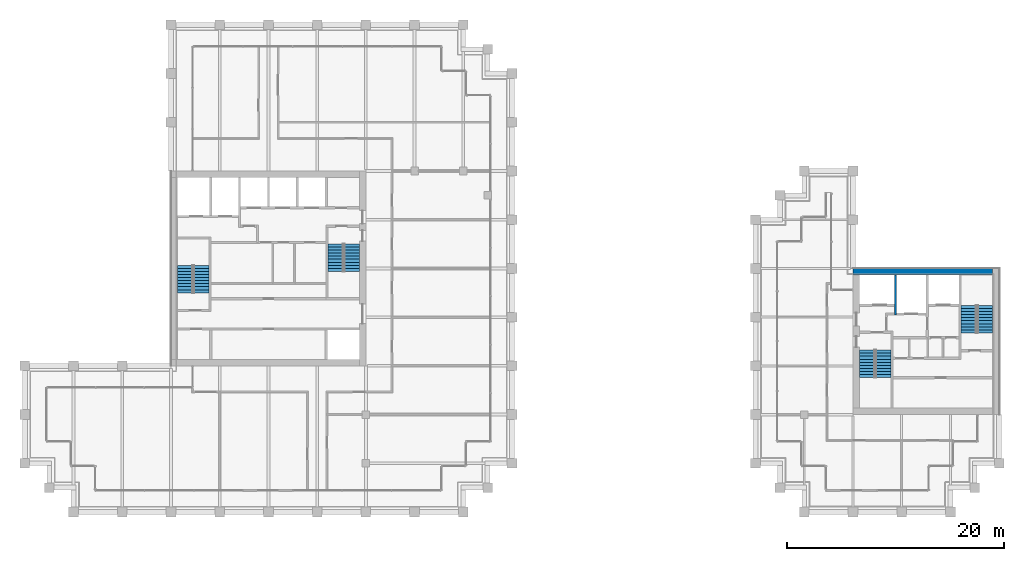
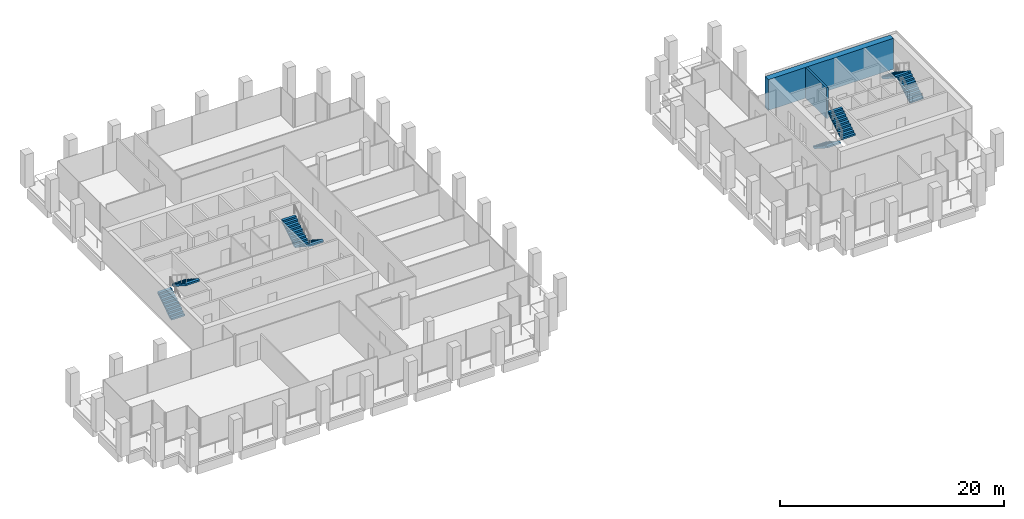
# One storey, part 39 of 40: 8 stair flights, 2 walls, 4 elements without a shape of their own.
"""IFC4 building model written with IfcOpenShell, lengths in metres."""

from ifc_helpers import new_model, si_unit, direction, frame, frame_2d, origin, place, context, subcontext, project, spatial, polyline, rectangle, outline, extrude, material, layer, layer_set, type_object, element, aggregate, save


model = new_model("IFC4")

# Units and contexts
model_context = context("Model", 3, precision=1e-05, world=origin(), true_north=direction((0.0, 1.0)))
body_context = subcontext(model_context, "Body", "Model", "MODEL_VIEW")
ifc_project = project(units=[si_unit("LENGTHUNIT", "METRE"), si_unit("AREAUNIT", "SQUARE_METRE"), si_unit("VOLUMEUNIT", "CUBIC_METRE"), si_unit("PLANEANGLEUNIT", "RADIAN"), si_unit("MASSUNIT", "GRAM", prefix="KILO")], contexts=[model_context])

# Site, building, storey
site_placement = place(None, origin())
site = spatial("IfcSite", under=ifc_project, at=site_placement, CompositionType="ELEMENT")
building_placement = place(site_placement, origin())
building = spatial("IfcBuilding", under=site, at=building_placement, Name="Altepetl Exchange Towers", CompositionType="ELEMENT")
storey_placement = place(building_placement, frame((0.0, 0.0, 179.800048828125)))
storey = spatial("IfcBuildingStorey", under=building, at=storey_placement, Name="L45", CompositionType="ELEMENT", Elevation=179.800048828125)

# Walls
ifc_material_1 = material(Name="Concrete C70/85", Category="concrete")
ifc_layer_1 = layer(ifc_material_1, 0.60009765625)
ifc_layer_set_1 = layer_set([ifc_layer_1], Name="Concrete C70/85")
wall_type_1 = type_object("IfcWallType", Name="Core wall 600 reinforced concrete external", PredefinedType="SHEAR", material=ifc_layer_set_1)
wall_1_placement = place(storey_placement, frame((103.5, 49.199951171875, 0.0)))
element("IfcWall", 1, at=wall_1_placement, inside=storey, type_object=wall_type_1, Name="wall:B:L45:K-coreN", PredefinedType="SHEAR", context=body_context, shape_type="SweptSolid", body=[
    extrude(rectangle(XDim=12.89990234375, YDim=0.60009765625, at=frame_2d((6.449951171875, 0.0))), origin(), (0.0, 0.0, 1.0), 3.349853515625),
])
ifc_material_2 = material(Name="Concrete C40/50", Category="concrete")
ifc_layer_2 = layer(ifc_material_2, 0.199951171875)
ifc_layer_set_2 = layer_set([ifc_layer_2], Name="Concrete C40/50")
wall_type_2 = type_object("IfcWallType", Name="Shaft wall 200 reinforced concrete", PredefinedType="SHEAR", material=ifc_layer_set_2)
wall_2_placement = place(storey_placement, frame((107.433349609375, 48.89990234375, 0.0), z_axis=(0.0, 0.0, 1.0), x_axis=(0.0, -1.0, 0.0)))
element("IfcWall", 2, at=wall_2_placement, inside=storey, type_object=wall_type_2, Name="wall:B:L45:K-divN1", PredefinedType="SHEAR", context=body_context, shape_type="SweptSolid", body=[
    extrude(rectangle(XDim=3.699951171875, YDim=0.199951171875, at=frame_2d((1.85009765625, 0.0))), origin(), (0.0, 0.0, 1.0), 3.349853515625),
])

# Stair, stair flights
stair_type = type_object("IfcStairType", Name="Exit stair 1400 flights dogleg", PredefinedType="HALF_TURN_STAIR", material=ifc_material_2)
stair_1_placement = place(storey_placement, origin())
stair_1 = element("IfcStair", 3, at=stair_1_placement, inside=storey, type_object=stair_type, Name="Exit stair 1", PredefinedType="HALF_TURN_STAIR")
stair_flight_type = type_object("IfcStairFlightType", Name="Stair flight 1400 wide", PredefinedType="STRAIGHT", material=ifc_material_2)
stair_flight_1_placement = place(storey_placement, frame((41.800048828125, 47.25, 0.0), z_axis=(0.0, 0.0, 1.0), x_axis=(0.0, 1.0, 0.0)))
stair_flight_1 = element("IfcStairFlight", 4, at=stair_flight_1_placement, type_object=stair_flight_type, Name="ST-A1e flight 1", NumberOfRisers=10, NumberOfTreads=9, PredefinedType="STRAIGHT", RiserHeight=0.18, TreadLength=0.28, context=body_context, shape_type="SweptSolid", body=[
    extrude(outline(polyline([(0.0, 0.0), (0.0, 0.179931640625), (0.280029296875, 0.179931640625), (0.280029296875, 0.360107421875), (0.56005859375, 0.360107421875), (0.56005859375, 0.5400390625), (0.840087890625, 0.5400390625), (0.840087890625, 0.719970703125), (1.1201171875, 0.719970703125), (1.1201171875, 0.89990234375), (1.39990234375, 0.89990234375), (1.39990234375, 1.080078125), (1.679931640625, 1.080078125), (1.679931640625, 1.260009765625), (1.9599609375, 1.260009765625), (1.9599609375, 1.43994140625), (2.239990234375, 1.43994140625), (2.239990234375, 1.6201171875), (2.52001953125, 1.6201171875), (2.52001953125, 1.800048828125), (2.52001953125, 1.44189453125), (0.277099609375, 0.0), (0.0, 0.0)])), frame((0.0, 0.699951171875, 0.0), z_axis=(0.0, -1.0, 0.0), x_axis=(1.0, 0.0, 0.0)), (0.0, 0.0, 1.0), 1.39990234375),
])
stair_flight_2_placement = place(storey_placement, frame((43.300048828125, 49.77001953125, 1.800048828125), z_axis=(0.0, 0.0, 1.0), x_axis=(0.0, -1.0, 0.0)))
stair_flight_2 = element("IfcStairFlight", 5, at=stair_flight_2_placement, type_object=stair_flight_type, Name="ST-A1e flight 2", NumberOfRisers=10, NumberOfTreads=9, PredefinedType="STRAIGHT", RiserHeight=0.18, TreadLength=0.28, context=body_context, shape_type="SweptSolid", body=[
    extrude(outline(polyline([(0.0, 0.0), (0.0, 0.179931640625), (0.280029296875, 0.179931640625), (0.280029296875, 0.360107421875), (0.56005859375, 0.360107421875), (0.56005859375, 0.5400390625), (0.840087890625, 0.5400390625), (0.840087890625, 0.719970703125), (1.1201171875, 0.719970703125), (1.1201171875, 0.89990234375), (1.39990234375, 0.89990234375), (1.39990234375, 1.080078125), (1.679931640625, 1.080078125), (1.679931640625, 1.260009765625), (1.9599609375, 1.260009765625), (1.9599609375, 1.43994140625), (2.239990234375, 1.43994140625), (2.239990234375, 1.6201171875), (2.52001953125, 1.6201171875), (2.52001953125, 1.800048828125), (2.52001953125, 1.44189453125), (0.277099609375, 0.0), (0.0, 0.0)])), frame((0.0, 0.699951171875, 0.0), z_axis=(0.0, -1.0, 0.0), x_axis=(1.0, 0.0, 0.0)), (0.0, 0.0, 1.0), 1.39990234375),
])
aggregate(stair_1, [stair_flight_1, stair_flight_2])

stair_2_placement = place(storey_placement, origin())
stair_2 = element("IfcStair", 6, at=stair_2_placement, inside=storey, type_object=stair_type, Name="Exit stair 2", PredefinedType="HALF_TURN_STAIR")
stair_flight_3_placement = place(storey_placement, frame((57.199951171875, 51.75, 0.0), z_axis=(0.0, 0.0, 1.0), x_axis=(0.0, -1.0, 0.0)))
stair_flight_3 = element("IfcStairFlight", 7, at=stair_flight_3_placement, type_object=stair_flight_type, Name="ST-A2e flight 1", NumberOfRisers=10, NumberOfTreads=9, PredefinedType="STRAIGHT", RiserHeight=0.18, TreadLength=0.28, context=body_context, shape_type="SweptSolid", body=[
    extrude(outline(polyline([(0.0, 0.0), (0.0, 0.179931640625), (0.280029296875, 0.179931640625), (0.280029296875, 0.360107421875), (0.56005859375, 0.360107421875), (0.56005859375, 0.5400390625), (0.840087890625, 0.5400390625), (0.840087890625, 0.719970703125), (1.1201171875, 0.719970703125), (1.1201171875, 0.89990234375), (1.39990234375, 0.89990234375), (1.39990234375, 1.080078125), (1.679931640625, 1.080078125), (1.679931640625, 1.260009765625), (1.9599609375, 1.260009765625), (1.9599609375, 1.43994140625), (2.239990234375, 1.43994140625), (2.239990234375, 1.6201171875), (2.52001953125, 1.6201171875), (2.52001953125, 1.800048828125), (2.52001953125, 1.44189453125), (0.277099609375, 0.0), (0.0, 0.0)])), frame((0.0, 0.699951171875, 0.0), z_axis=(0.0, -1.0, 0.0), x_axis=(1.0, 0.0, 0.0)), (0.0, 0.0, 1.0), 1.39990234375),
])
stair_flight_4_placement = place(storey_placement, frame((55.699951171875, 49.22998046875, 1.800048828125), z_axis=(0.0, 0.0, 1.0), x_axis=(0.0, 1.0, 0.0)))
stair_flight_4 = element("IfcStairFlight", 8, at=stair_flight_4_placement, type_object=stair_flight_type, Name="ST-A2e flight 2", NumberOfRisers=10, NumberOfTreads=9, PredefinedType="STRAIGHT", RiserHeight=0.18, TreadLength=0.28, context=body_context, shape_type="SweptSolid", body=[
    extrude(outline(polyline([(0.0, 0.0), (0.0, 0.179931640625), (0.280029296875, 0.179931640625), (0.280029296875, 0.360107421875), (0.56005859375, 0.360107421875), (0.56005859375, 0.5400390625), (0.840087890625, 0.5400390625), (0.840087890625, 0.719970703125), (1.1201171875, 0.719970703125), (1.1201171875, 0.89990234375), (1.39990234375, 0.89990234375), (1.39990234375, 1.080078125), (1.679931640625, 1.080078125), (1.679931640625, 1.260009765625), (1.9599609375, 1.260009765625), (1.9599609375, 1.43994140625), (2.239990234375, 1.43994140625), (2.239990234375, 1.6201171875), (2.52001953125, 1.6201171875), (2.52001953125, 1.800048828125), (2.52001953125, 1.44189453125), (0.277099609375, 0.0), (0.0, 0.0)])), frame((0.0, 0.699951171875, 0.0), z_axis=(0.0, -1.0, 0.0), x_axis=(1.0, 0.0, 0.0)), (0.0, 0.0, 1.0), 1.39990234375),
])
aggregate(stair_2, [stair_flight_3, stair_flight_4])

stair_3_placement = place(storey_placement, origin())
stair_3 = element("IfcStair", 9, at=stair_3_placement, inside=storey, type_object=stair_type, Name="Exit stair 1", PredefinedType="HALF_TURN_STAIR")
stair_flight_5_placement = place(storey_placement, frame((104.800048828125, 41.949951171875, 0.0), z_axis=(0.0, 0.0, 1.0), x_axis=(0.0, -1.0, 0.0)))
stair_flight_5 = element("IfcStairFlight", 10, at=stair_flight_5_placement, type_object=stair_flight_type, Name="ST-B1e flight 1", NumberOfRisers=10, NumberOfTreads=9, PredefinedType="STRAIGHT", RiserHeight=0.18, TreadLength=0.28, context=body_context, shape_type="SweptSolid", body=[
    extrude(outline(polyline([(0.0, 0.0), (0.0, 0.179931640625), (0.280029296875, 0.179931640625), (0.280029296875, 0.360107421875), (0.56005859375, 0.360107421875), (0.56005859375, 0.5400390625), (0.840087890625, 0.5400390625), (0.840087890625, 0.719970703125), (1.1201171875, 0.719970703125), (1.1201171875, 0.89990234375), (1.39990234375, 0.89990234375), (1.39990234375, 1.080078125), (1.679931640625, 1.080078125), (1.679931640625, 1.260009765625), (1.9599609375, 1.260009765625), (1.9599609375, 1.43994140625), (2.239990234375, 1.43994140625), (2.239990234375, 1.6201171875), (2.52001953125, 1.6201171875), (2.52001953125, 1.800048828125), (2.52001953125, 1.44189453125), (0.277099609375, 0.0), (0.0, 0.0)])), frame((0.0, 0.699951171875, 0.0), z_axis=(0.0, -1.0, 0.0), x_axis=(1.0, 0.0, 0.0)), (0.0, 0.0, 1.0), 1.39990234375),
])
stair_flight_6_placement = place(storey_placement, frame((106.300048828125, 39.429931640625, 1.800048828125), z_axis=(0.0, 0.0, 1.0), x_axis=(0.0, 1.0, 0.0)))
stair_flight_6 = element("IfcStairFlight", 11, at=stair_flight_6_placement, type_object=stair_flight_type, Name="ST-B1e flight 2", NumberOfRisers=10, NumberOfTreads=9, PredefinedType="STRAIGHT", RiserHeight=0.18, TreadLength=0.28, context=body_context, shape_type="SweptSolid", body=[
    extrude(outline(polyline([(0.0, 0.0), (0.0, 0.179931640625), (0.280029296875, 0.179931640625), (0.280029296875, 0.360107421875), (0.56005859375, 0.360107421875), (0.56005859375, 0.5400390625), (0.840087890625, 0.5400390625), (0.840087890625, 0.719970703125), (1.1201171875, 0.719970703125), (1.1201171875, 0.89990234375), (1.39990234375, 0.89990234375), (1.39990234375, 1.080078125), (1.679931640625, 1.080078125), (1.679931640625, 1.260009765625), (1.9599609375, 1.260009765625), (1.9599609375, 1.43994140625), (2.239990234375, 1.43994140625), (2.239990234375, 1.6201171875), (2.52001953125, 1.6201171875), (2.52001953125, 1.800048828125), (2.52001953125, 1.44189453125), (0.277099609375, 0.0), (0.0, 0.0)])), frame((0.0, 0.699951171875, 0.0), z_axis=(0.0, -1.0, 0.0), x_axis=(1.0, 0.0, 0.0)), (0.0, 0.0, 1.0), 1.39990234375),
])
aggregate(stair_3, [stair_flight_5, stair_flight_6])

stair_4_placement = place(storey_placement, origin())
stair_4 = element("IfcStair", 12, at=stair_4_placement, inside=storey, type_object=stair_type, Name="Exit stair 2", PredefinedType="HALF_TURN_STAIR")
stair_flight_7_placement = place(storey_placement, frame((115.699951171875, 43.550048828125, 0.0), z_axis=(0.0, 0.0, 1.0), x_axis=(0.0, 1.0, 0.0)))
stair_flight_7 = element("IfcStairFlight", 13, at=stair_flight_7_placement, type_object=stair_flight_type, Name="ST-B2e flight 1", NumberOfRisers=10, NumberOfTreads=9, PredefinedType="STRAIGHT", RiserHeight=0.18, TreadLength=0.28, context=body_context, shape_type="SweptSolid", body=[
    extrude(outline(polyline([(0.0, 0.0), (0.0, 0.179931640625), (0.280029296875, 0.179931640625), (0.280029296875, 0.360107421875), (0.56005859375, 0.360107421875), (0.56005859375, 0.5400390625), (0.840087890625, 0.5400390625), (0.840087890625, 0.719970703125), (1.1201171875, 0.719970703125), (1.1201171875, 0.89990234375), (1.39990234375, 0.89990234375), (1.39990234375, 1.080078125), (1.679931640625, 1.080078125), (1.679931640625, 1.260009765625), (1.9599609375, 1.260009765625), (1.9599609375, 1.43994140625), (2.239990234375, 1.43994140625), (2.239990234375, 1.6201171875), (2.52001953125, 1.6201171875), (2.52001953125, 1.800048828125), (2.52001953125, 1.44189453125), (0.277099609375, 0.0), (0.0, 0.0)])), frame((0.0, 0.699951171875, 0.0), z_axis=(0.0, -1.0, 0.0), x_axis=(1.0, 0.0, 0.0)), (0.0, 0.0, 1.0), 1.39990234375),
])
stair_flight_8_placement = place(storey_placement, frame((114.199951171875, 46.070068359375, 1.800048828125), z_axis=(0.0, 0.0, 1.0), x_axis=(0.0, -1.0, 0.0)))
stair_flight_8 = element("IfcStairFlight", 14, at=stair_flight_8_placement, type_object=stair_flight_type, Name="ST-B2e flight 2", NumberOfRisers=10, NumberOfTreads=9, PredefinedType="STRAIGHT", RiserHeight=0.18, TreadLength=0.28, context=body_context, shape_type="SweptSolid", body=[
    extrude(outline(polyline([(0.0, 0.0), (0.0, 0.179931640625), (0.280029296875, 0.179931640625), (0.280029296875, 0.360107421875), (0.56005859375, 0.360107421875), (0.56005859375, 0.5400390625), (0.840087890625, 0.5400390625), (0.840087890625, 0.719970703125), (1.1201171875, 0.719970703125), (1.1201171875, 0.89990234375), (1.39990234375, 0.89990234375), (1.39990234375, 1.080078125), (1.679931640625, 1.080078125), (1.679931640625, 1.260009765625), (1.9599609375, 1.260009765625), (1.9599609375, 1.43994140625), (2.239990234375, 1.43994140625), (2.239990234375, 1.6201171875), (2.52001953125, 1.6201171875), (2.52001953125, 1.800048828125), (2.52001953125, 1.44189453125), (0.277099609375, 0.0), (0.0, 0.0)])), frame((0.0, 0.699951171875, 0.0), z_axis=(0.0, -1.0, 0.0), x_axis=(1.0, 0.0, 0.0)), (0.0, 0.0, 1.0), 1.39990234375),
])
aggregate(stair_4, [stair_flight_7, stair_flight_8])

save(model, "model.ifc")
